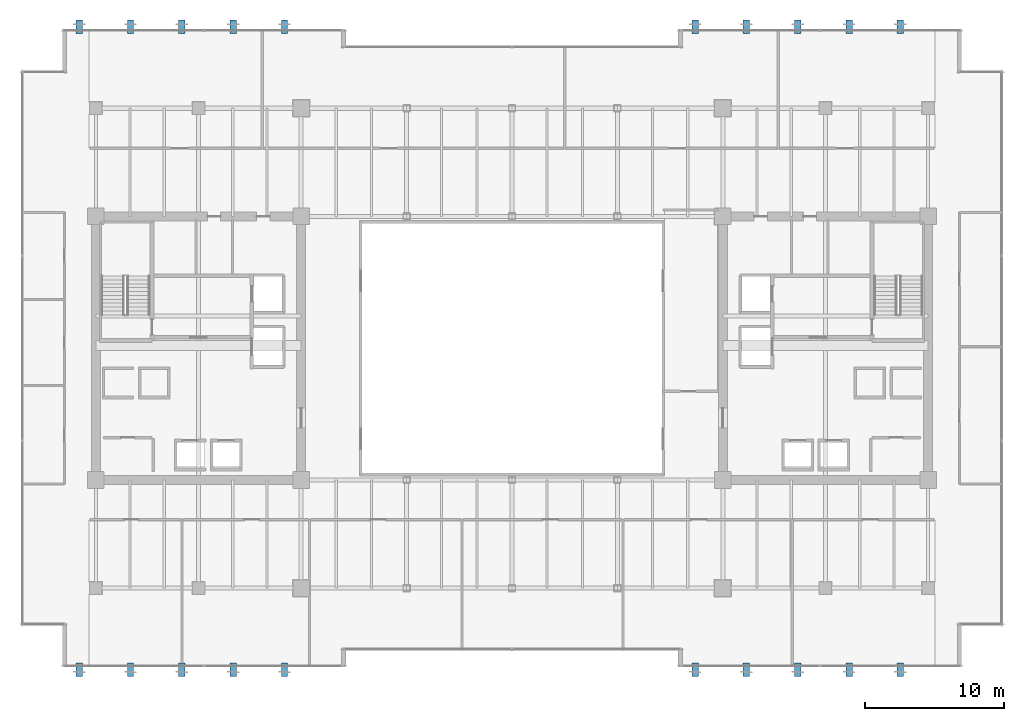
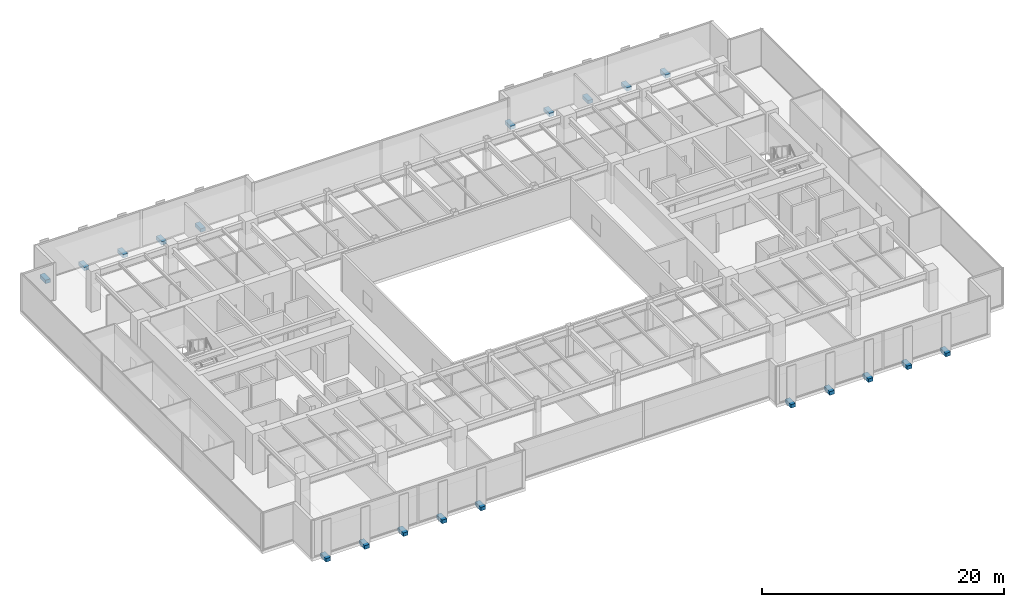
# One storey, part 29 of 34: 20 discrete accessories.
"""IFC4 building model written with IfcOpenShell, lengths in metres."""

from ifc_helpers import new_model, si_unit, direction, frame, origin, origin_2d, place, context, subcontext, project, spatial, rectangle, extrude, source, transform, mapped, material, type_object, type_shapes, element, save


model = new_model("IFC4")

# Units and contexts
model_context = context("Model", 3, precision=1e-05, world=origin(), true_north=direction((0.0, 1.0)))
body_context = subcontext(model_context, "Body", "Model", "MODEL_VIEW")
ifc_project = project(units=[si_unit("LENGTHUNIT", "METRE"), si_unit("AREAUNIT", "SQUARE_METRE"), si_unit("VOLUMEUNIT", "CUBIC_METRE"), si_unit("PLANEANGLEUNIT", "RADIAN"), si_unit("MASSUNIT", "GRAM", prefix="KILO")], contexts=[model_context])

# Site, building, storey
site_placement = place(None, origin())
site = spatial("IfcSite", under=ifc_project, at=site_placement, CompositionType="ELEMENT")
building_placement = place(site_placement, origin())
building = spatial("IfcBuilding", under=site, at=building_placement, Name="Haelvirn Gate Laboratories", CompositionType="ELEMENT")
storey_placement = place(building_placement, frame((0.0, 0.0, 158.39990234375)))
storey = spatial("IfcBuildingStorey", under=building, at=storey_placement, Name="L38", CompositionType="ELEMENT", Elevation=158.39990234375)

# Discrete accessories
ifc_material = material(Name="Steel SM355 & duplex stainless anchorage", Category="steel")
discrete_accessory_type = type_object("IfcDiscreteAccessoryType", Name="ACC-BRK-FIN", PredefinedType="BRACKET", material=ifc_material)
shared_shape = source(origin(), body_context, "Body", "SweptSolid", [
    extrude(rectangle(XDim=0.4599609375, YDim=0.9599609375, at=origin_2d()), origin(), (0.0, 0.0, 1.0), 0.360107421875),
])
type_shapes(discrete_accessory_type, [shared_shape])
for number, where, z_axis, x_axis, name in (
    (1, (6.199951171875, 1.1201171875, -0.31982421875), (0.0, 0.0, 1.0), (1.0, 0.0, 0.0), "L38 Stainless Fin Outrigger Bracket S01"),
    (2, (6.199951171875, 47.47998046875, -0.31982421875), (0.0, 0.0, 1.0), (1.0, 0.0, 0.0), "L38 Stainless Fin Outrigger Bracket N01"),
    (3, (9.89990234375, 1.1201171875, -0.31982421875), (0.0, 0.0, 1.0), (1.0, 0.0, 0.0), "L38 Stainless Fin Outrigger Bracket S02"),
    (4, (9.89990234375, 47.47998046875, -0.31982421875), (0.0, 0.0, 1.0), (1.0, 0.0, 0.0), "L38 Stainless Fin Outrigger Bracket N02"),
    (5, (13.60009765625, 1.1201171875, -0.31982421875), (0.0, 0.0, 1.0), (1.0, 0.0, 0.0), "L38 Stainless Fin Outrigger Bracket S03"),
    (6, (13.60009765625, 47.47998046875, -0.31982421875), (0.0, 0.0, 1.0), (1.0, 0.0, 0.0), "L38 Stainless Fin Outrigger Bracket N03"),
    (7, (17.300048828125, 1.1201171875, -0.31982421875), (0.0, 0.0, 1.0), (1.0, 0.0, 0.0), "L38 Stainless Fin Outrigger Bracket S04"),
    (8, (17.300048828125, 47.47998046875, -0.31982421875), (0.0, 0.0, 1.0), (1.0, 0.0, 0.0), "L38 Stainless Fin Outrigger Bracket N04"),
    (9, (21.0, 1.1201171875, -0.31982421875), (0.0, 0.0, 1.0), (1.0, 0.0, 0.0), "L38 Stainless Fin Outrigger Bracket S05"),
    (10, (21.0, 47.47998046875, -0.31982421875), (0.0, 0.0, 1.0), (1.0, 0.0, 0.0), "L38 Stainless Fin Outrigger Bracket N05"),
    (11, (50.60009765625, 1.1201171875, -0.31982421875), (0.0, 0.0, 1.0), (1.0, 0.0, 0.0), "L38 Stainless Fin Outrigger Bracket S06"),
    (12, (50.60009765625, 47.47998046875, -0.31982421875), (0.0, 0.0, 1.0), (1.0, 0.0, 0.0), "L38 Stainless Fin Outrigger Bracket N06"),
    (13, (54.300048828125, 1.1201171875, -0.31982421875), (0.0, 0.0, 1.0), (1.0, 0.0, 0.0), "L38 Stainless Fin Outrigger Bracket S07"),
    (14, (54.300048828125, 47.47998046875, -0.31982421875), (0.0, 0.0, 1.0), (1.0, 0.0, 0.0), "L38 Stainless Fin Outrigger Bracket N07"),
    (15, (58.0, 1.1201171875, -0.31982421875), (0.0, 0.0, 1.0), (1.0, 0.0, 0.0), "L38 Stainless Fin Outrigger Bracket S08"),
    (16, (58.0, 47.47998046875, -0.31982421875), (0.0, 0.0, 1.0), (1.0, 0.0, 0.0), "L38 Stainless Fin Outrigger Bracket N08"),
    (17, (61.699951171875, 1.1201171875, -0.31982421875), (0.0, 0.0, 1.0), (1.0, 0.0, 0.0), "L38 Stainless Fin Outrigger Bracket S09"),
    (18, (61.699951171875, 47.47998046875, -0.31982421875), (0.0, 0.0, 1.0), (1.0, 0.0, 0.0), "L38 Stainless Fin Outrigger Bracket N09"),
    (19, (65.39990234375, 1.1201171875, -0.31982421875), (0.0, 0.0, 1.0), (1.0, 0.0, 0.0), "L38 Stainless Fin Outrigger Bracket S10"),
    (20, (65.39990234375, 47.47998046875, -0.31982421875), (0.0, 0.0, 1.0), (1.0, 0.0, 0.0), "L38 Stainless Fin Outrigger Bracket N10"),
):
    element("IfcDiscreteAccessory", number, at=place(storey_placement, frame(where, z_axis=z_axis, x_axis=x_axis)), inside=storey, type_object=discrete_accessory_type, Name=name, PredefinedType="BRACKET", context=body_context, shape_type="MappedRepresentation", body=[
        mapped(shared_shape, transform((0.0, 0.0, 0.0), scale=1.0)),
    ])

save(model, "model.ifc")
